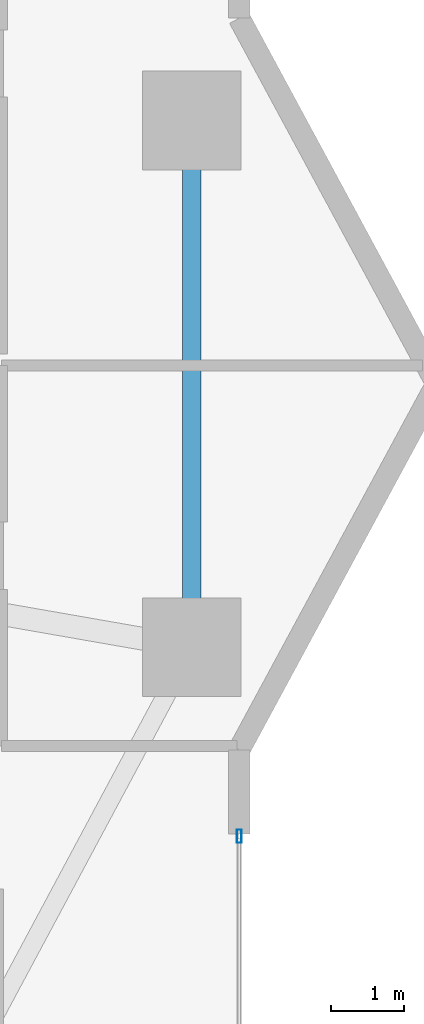
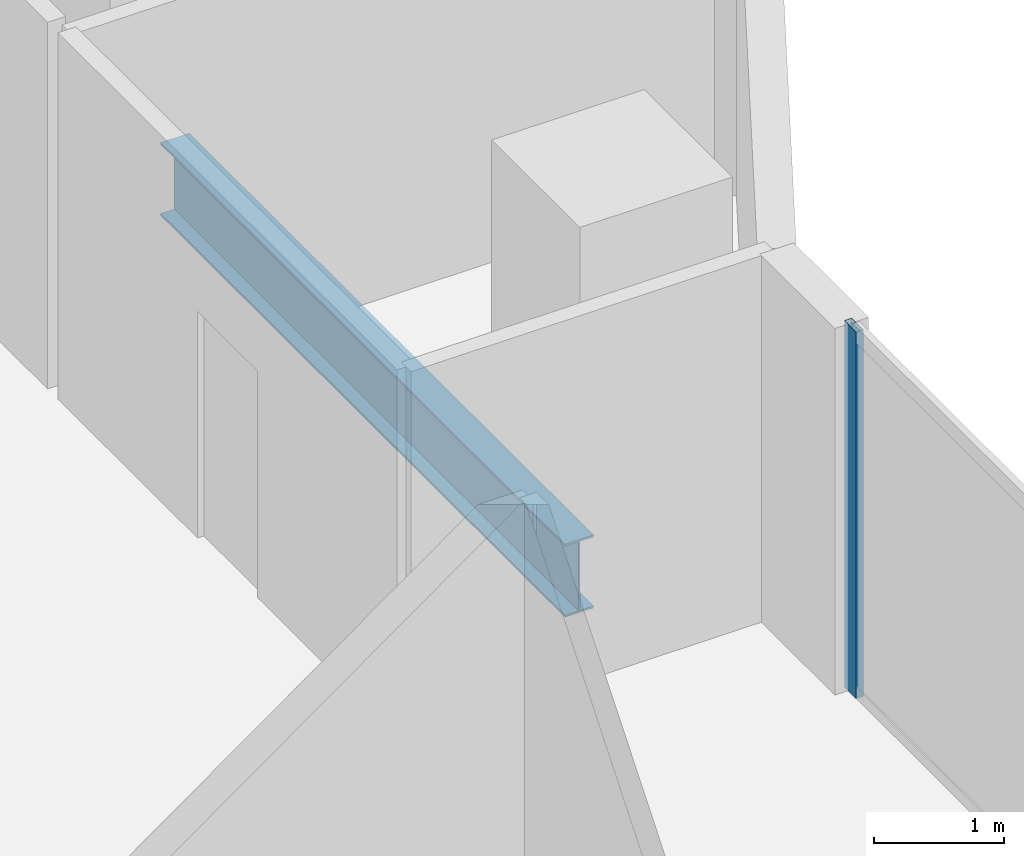
# One storey, part 13 of 28: 1 beam, 1 member, 1 element without a shape of its own.
"""IFC4 building model written with IfcOpenShell, lengths in metres."""

from ifc_helpers import new_model, si_unit, direction, frame, origin, origin_2d, place, context, subcontext, project, spatial, hollow_rectangle, i_section, extrude, material, layer, layer_set, material_profile, profile_set, type_object, element, aggregate, save


model = new_model("IFC4")

# Units and contexts
model_context = context("Model", 3, precision=1e-05, world=origin(), true_north=direction((0.0, 1.0)))
body_context = subcontext(model_context, "Body", "Model", "MODEL_VIEW")
ifc_project = project(units=[si_unit("LENGTHUNIT", "METRE"), si_unit("AREAUNIT", "SQUARE_METRE"), si_unit("VOLUMEUNIT", "CUBIC_METRE"), si_unit("PLANEANGLEUNIT", "RADIAN"), si_unit("MASSUNIT", "GRAM", prefix="KILO")], contexts=[model_context])

# Site, building, storey
site_placement = place(None, origin())
site = spatial("IfcSite", under=ifc_project, at=site_placement, CompositionType="ELEMENT")
building_placement = place(site_placement, origin())
building = spatial("IfcBuilding", under=site, at=building_placement, Name="Zuhayl Quay Hotel", CompositionType="ELEMENT")
storey_placement = place(building_placement, frame((0.0, 0.0, 110.25)))
storey = spatial("IfcBuildingStorey", under=building, at=storey_placement, Name="L27", CompositionType="ELEMENT", Elevation=110.25)

# Beam
ifc_material_1 = material(Name="Steel ASTM A992 Grade 50", Category="steel")
ifc_material_profile_1 = material_profile(ifc_material_1, i_section(OverallWidth=0.25390625, OverallDepth=0.68310546875, WebThickness=0.012451171875, FlangeThickness=0.018798828125, at=origin_2d()), Name="W27X94")
ifc_profile_set_1 = profile_set([ifc_material_profile_1], Name="Steel ASTM A992 Grade 50")
beam_type = type_object("IfcBeamType", Name="BM_B2_W27X94", PredefinedType="BEAM", material=ifc_profile_set_1)
beam_placement = place(storey_placement, frame((23.25, 3.39990234375, -0.5615234375), z_axis=(0.0, 1.0, 0.0), x_axis=(-1.0, 0.0, 0.0)))
element("IfcBeam", 1, at=beam_placement, inside=storey, type_object=beam_type, Name="L27 Floor Beam RG_L27_05", PredefinedType="BEAM", context=body_context, shape_type="SweptSolid", body=[
    extrude(i_section(OverallWidth=0.25390625, OverallDepth=0.68310546875, WebThickness=0.012451171875, FlangeThickness=0.018798828125, at=origin_2d()), origin(), (0.0, 0.0, 1.0), 6.2001953125),
])

# Curtain wall, member
ifc_material_2 = material(Name="Anodised Aluminium 6063-T6", Category="aluminium")
ifc_layer = layer(ifc_material_2, 0.179931640625, Name="Anodised Aluminium 6063-T6", Category="aluminium")
ifc_layer_set = layer_set([ifc_layer], Name="Anodised Aluminium 6063-T6")
curtain_wall_type = type_object("IfcCurtainWallType", Name="CW_SYS_Z2", PredefinedType="USERDEFINED", material=ifc_layer_set)
curtain_wall_placement = place(storey_placement, origin())
curtain_wall = element("IfcCurtainWall", 2, at=curtain_wall_placement, inside=storey, type_object=curtain_wall_type, Name="L27 Curtain Wall ENV_L27_E14_CW1", ObjectType="UNITISED CURTAIN WALL", PredefinedType="USERDEFINED")
ifc_material_3 = material(Name="Black-anodised aluminium 6063-T6", Category="aluminium")
ifc_material_profile_2 = material_profile(ifc_material_3, hollow_rectangle(XDim=0.06494140625, YDim=0.179931640625, WallThickness=0.00341796875, at=origin_2d()), Name="ALU180X65")
ifc_profile_set_2 = profile_set([ifc_material_profile_2], Name="Black-anodised aluminium 6063-T6")
member_type = type_object("IfcMemberType", Name="MB_CW_MUL_180", PredefinedType="MULLION", material=ifc_profile_set_2)
member_placement = place(storey_placement, frame((23.89990234375, 0.3173828125, 0.0), z_axis=(0.0, 0.0, 1.0), x_axis=(1.0, 0.0, 0.0)))
member = element("IfcMember", 3, at=member_placement, type_object=member_type, Name="CW-Z2 mullion 1", PredefinedType="MULLION", context=body_context, shape_type="SweptSolid", body=[
    extrude(hollow_rectangle(XDim=0.06494140625, YDim=0.179931640625, WallThickness=0.00341796875, at=origin_2d()), origin(), (0.0, 0.0, 1.0), 3.429931640625),
])
aggregate(curtain_wall, [member])

save(model, "model.ifc")
